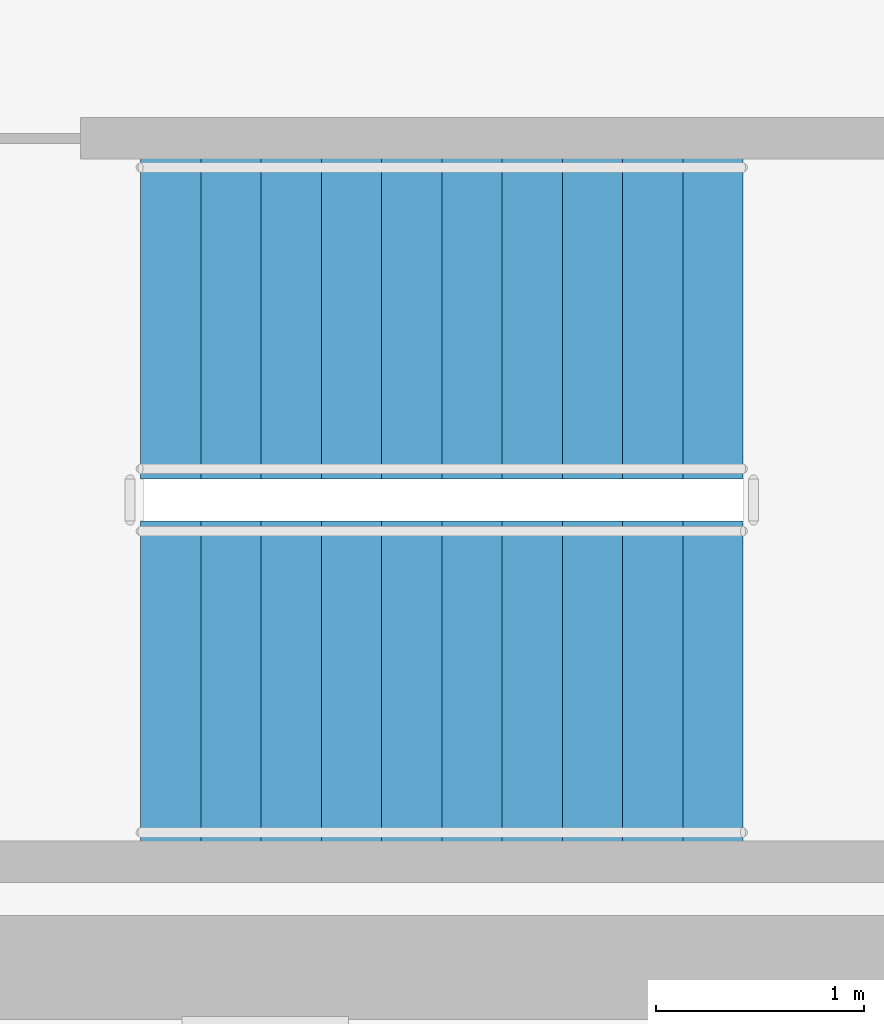
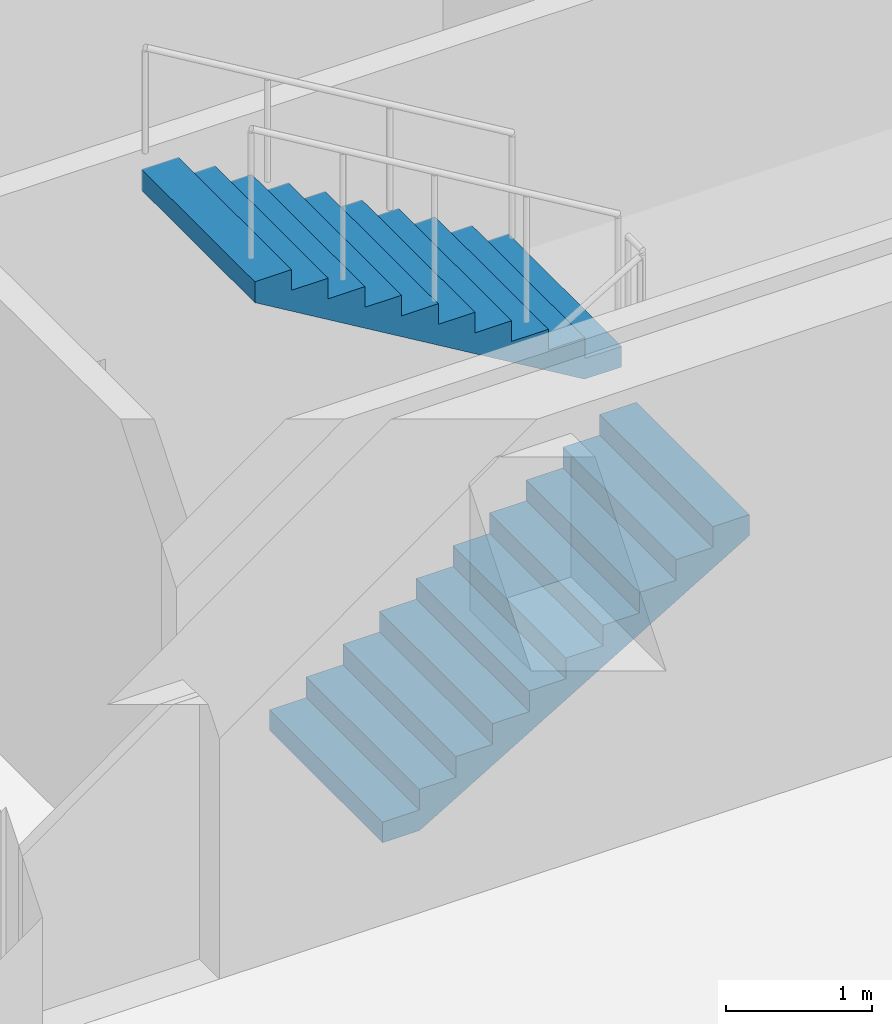
# One storey, part 20 of 24: 2 stair flights, 1 element without a shape of its own.
"""IFC4 building model written with IfcOpenShell, lengths in metres."""

import ifcopenshell
import ifcopenshell.guid

model = None  # the IFC model being written
_history = None  # IfcOwnerHistory: only IFC2X3 demands one
_inside = {}  # id of a spatial element -> (the spatial element, [elements in it])
_under = {}  # id of a project, library or spatial element -> (it, [spatial elements below it])
_declared = {}  # id of a project -> (the project, [libraries it declares])
_typed = {}  # id of a type object -> (the type object, [elements of that type])
_made_of = {}  # id of a material, layer set ... -> (it, [elements and type objects made of it])


def new_model(schema):
    """Start an empty IFC model of exactly this schema.

    Asked for "IFC4X3", IfcOpenShell would pick the latest addendum, in which some entities
    have other attributes; the version numbers below select the first issue.
    IFC2X3 requires an IfcOwnerHistory on every rooted entity: one is made here for all.
    """
    global model, _history
    if schema == "IFC4X3":
        model = ifcopenshell.file(schema_version=(4, 3, 0, 0))
    else:
        model = ifcopenshell.file(schema=schema)
    _inside.clear()
    _under.clear()
    _declared.clear()
    _typed.clear()
    _made_of.clear()
    _history = None
    if model.schema == "IFC2X3":
        org = make("IfcOrganization", Name="unknown")
        user = make(
            "IfcPersonAndOrganization",
            ThePerson=make("IfcPerson", FamilyName="unknown"),
            TheOrganization=org,
        )
        app = make(
            "IfcApplication",
            ApplicationDeveloper=org,
            Version="unknown",
            ApplicationFullName="unknown",
            ApplicationIdentifier="unknown",
        )
        _history = make(
            "IfcOwnerHistory",
            OwningUser=user,
            OwningApplication=app,
            ChangeAction="ADDED",
            CreationDate=0,
        )
    return model


def make(cls, **values):
    """One entity of the class cls with the attributes given. An attribute that is None is left unset."""
    return model.create_entity(
        cls, **{name: value for name, value in values.items() if value is not None}
    )


def rooted(cls, **values):
    """An entity with a GlobalId (a new one), such as an element, a storey or a relation."""
    return make(cls, GlobalId=ifcopenshell.guid.new(), OwnerHistory=_history, **values)


def si_unit(unit_type, name, prefix=None):
    """IfcSIUnit, for example si_unit("LENGTHUNIT", "METRE", prefix="MILLI")."""
    return make("IfcSIUnit", UnitType=unit_type, Prefix=prefix, Name=name)


def assignment(units):
    """IfcUnitAssignment: the units of a project."""
    return None if units is None else make("IfcUnitAssignment", Units=units)


def point(xyz):
    """IfcCartesianPoint."""
    return None if xyz is None else make("IfcCartesianPoint", Coordinates=xyz)


def direction(xyz):
    """IfcDirection."""
    return None if xyz is None else make("IfcDirection", DirectionRatios=xyz)


def frame(location, z_axis=None, x_axis=None):
    """IfcAxis2Placement3D, a coordinate frame: its origin and axes. An axis left out is left unset."""
    return make(
        "IfcAxis2Placement3D",
        Location=point(location),
        Axis=direction(z_axis),
        RefDirection=direction(x_axis),
    )


def origin():
    """The frame at (0, 0, 0) with its axes left unset."""
    return frame((0.0, 0.0, 0.0))


def place(relative_to, where):
    """IfcLocalPlacement: puts the frame where relative to a parent placement (None: the world)."""
    return make(
        "IfcLocalPlacement", PlacementRelTo=relative_to, RelativePlacement=where
    )


def context(
    kind, dimensions, precision=None, world=None, true_north=None, identifier=None
):
    """IfcGeometricRepresentationContext, for example the 3D "Model" context."""
    return make(
        "IfcGeometricRepresentationContext",
        ContextIdentifier=identifier,
        ContextType=kind,
        CoordinateSpaceDimension=dimensions,
        Precision=precision,
        WorldCoordinateSystem=world,
        TrueNorth=true_north,
    )


def subcontext(parent, identifier, kind, view, scale=None):
    """IfcGeometricRepresentationSubContext, for example "Body" below "Model"."""
    return make(
        "IfcGeometricRepresentationSubContext",
        ContextIdentifier=identifier,
        ContextType=kind,
        ParentContext=parent,
        TargetScale=scale,
        TargetView=view,
    )


def project(units=None, contexts=None):
    """IfcProject with its units and contexts."""
    return rooted(
        "IfcProject",
        Name="project",
        RepresentationContexts=contexts,
        UnitsInContext=assignment(units),
    )


def spatial(cls, under=None, at=None, **own):
    """A site, building, storey or space (cls), placed at a placement, below another one or the project."""
    s = rooted(cls, ObjectPlacement=at, **own)
    if under is not None:
        _under.setdefault(under.id(), (under, []))[1].append(s)
    return s


def polyline(points):
    """IfcPolyline through the points."""
    return make("IfcPolyline", Points=[point(p) for p in points])


def outline(outer, holes=None, kind="AREA"):
    """IfcArbitraryClosedProfileDef: a profile drawn as a closed curve; with holes, ...WithVoids."""
    if holes is None:
        return make("IfcArbitraryClosedProfileDef", ProfileType=kind, OuterCurve=outer)
    return make(
        "IfcArbitraryProfileDefWithVoids",
        ProfileType=kind,
        OuterCurve=outer,
        InnerCurves=holes,
    )


def extrude(swept, where, along, depth):
    """IfcExtrudedAreaSolid: the profile swept, set in the frame where, extruded along a direction by depth."""
    return make(
        "IfcExtrudedAreaSolid",
        SweptArea=swept,
        Position=where,
        ExtrudedDirection=direction(along),
        Depth=depth,
    )


def shape(context_of_items, identifier, shape_type, items):
    """IfcShapeRepresentation: the items that make up one representation, for example the "Body"."""
    return make(
        "IfcShapeRepresentation",
        ContextOfItems=context_of_items,
        RepresentationIdentifier=identifier,
        RepresentationType=shape_type,
        Items=items,
    )


def material(Name=None, Category=None):
    """IfcMaterial."""
    return make("IfcMaterial", Name=Name, Category=Category)


def made_of(thing, what):
    """Note that an element or type object is made of a material, layer set ...; save() writes the relation."""
    if what is not None:
        _made_of.setdefault(what.id(), (what, []))[1].append(thing)
    return thing


def type_object(cls, material=None, **own):
    """A type object (cls), such as IfcWallType, which elements share."""
    return made_of(rooted(cls, **own), material)


def element(
    cls,
    number,
    at=None,
    inside=None,
    cuts=None,
    type_object=None,
    material=None,
    context=None,
    identifier="Body",
    shape_type=None,
    held_by="IfcProductDefinitionShape",
    body=None,
    shapes=None,
    **own,
):
    """One element of the class cls, such as IfcWall. Its Tag is "e" and its number.

    at: its placement. inside: the storey or other place that contains it. cuts: it is an
    opening in that element (IfcRelVoidsElement). A single representation is given by context,
    identifier, shape_type and body (its items); several are given by shapes. held_by: the class
    of the entity that holds the representations. save() writes the other relations.
    """
    e = rooted(cls, Tag="e%d" % number, ObjectPlacement=at, **own)
    if body is not None:
        shapes = [shape(context, identifier, shape_type, body)]
    if shapes is not None:
        e.Representation = make(held_by, Representations=shapes)
    if inside is not None:
        _inside.setdefault(inside.id(), (inside, []))[1].append(e)
    if cuts is not None:
        rooted(
            "IfcRelVoidsElement", RelatingBuildingElement=cuts, RelatedOpeningElement=e
        )
    if type_object is not None:
        _typed.setdefault(type_object.id(), (type_object, []))[1].append(e)
    return made_of(e, material)


def aggregate(whole, parts):
    """IfcRelAggregates: a whole, such as a stair, and the parts it consists of."""
    return rooted("IfcRelAggregates", RelatingObject=whole, RelatedObjects=parts)


def save(model, path):
    """Write the relations noted so far, then the file.

    IfcRelAggregates (storeys below a building ...), IfcRelContainedInSpatialStructure (elements
    in a storey), IfcRelDefinesByType, IfcRelAssociatesMaterial and IfcRelDeclares: one each for
    every whole, place, type object, material and project.
    """
    for whole, parts in _under.values():
        aggregate(whole, parts)
    for where, things in _inside.values():
        rooted(
            "IfcRelContainedInSpatialStructure",
            RelatedElements=things,
            RelatingStructure=where,
        )
    for kind, things in _typed.values():
        rooted("IfcRelDefinesByType", RelatedObjects=things, RelatingType=kind)
    for what, things in _made_of.values():
        rooted("IfcRelAssociatesMaterial", RelatedObjects=things, RelatingMaterial=what)
    for by, libraries in _declared.values():
        rooted("IfcRelDeclares", RelatingContext=by, RelatedDefinitions=libraries)
    model.write(path)


model = new_model("IFC4")

# Units and contexts
model_context = context("Model", 3, precision=1e-05, world=origin(), true_north=direction((0.0, 1.0)))
body_context = subcontext(model_context, "Body", "Model", "MODEL_VIEW")
ifc_project = project(units=[si_unit("LENGTHUNIT", "METRE"), si_unit("AREAUNIT", "SQUARE_METRE"), si_unit("VOLUMEUNIT", "CUBIC_METRE"), si_unit("PLANEANGLEUNIT", "RADIAN"), si_unit("MASSUNIT", "GRAM", prefix="KILO")], contexts=[model_context])

# Site, building, storey
site_placement = place(None, origin())
site = spatial("IfcSite", under=ifc_project, at=site_placement, CompositionType="ELEMENT")
building_placement = place(site_placement, origin())
building = spatial("IfcBuilding", under=site, at=building_placement, Name="Putna Gate Headquarters", CompositionType="ELEMENT")
storey_placement = place(building_placement, frame((0.0, 0.0, 251.800048828125)))
storey = spatial("IfcBuildingStorey", under=building, at=storey_placement, Name="L63", CompositionType="ELEMENT", Elevation=251.800048828125)

# Stair, stair flights
ifc_material = material(Name="Concrete C40/50", Category="concrete")
stair_type = type_object("IfcStairType", Name="STAIR-ST2", PredefinedType="HALF_TURN_STAIR", material=ifc_material)
stair_placement = place(storey_placement, origin())
stair = element("IfcStair", 1, at=stair_placement, inside=storey, type_object=stair_type, Name="L63 East Core Exit Stair ST2", PredefinedType="HALF_TURN_STAIR")
stair_flight_type = type_object("IfcStairFlightType", Name="FLIGHT-ST2", PredefinedType="STRAIGHT", material=ifc_material)
stair_flight_1_placement = place(storey_placement, frame((57.89990234375, 20.375, 0.0), z_axis=(0.0, 0.0, 1.0), x_axis=(1.0, 0.0, 0.0)))
stair_flight_1 = element("IfcStairFlight", 2, at=stair_flight_1_placement, type_object=stair_flight_type, Name="ST2 flight 1", NumberOfRisers=11, NumberOfTreads=10, PredefinedType="STRAIGHT", RiserHeight=0.172727273, TreadLength=0.29, context=body_context, shape_type="SweptSolid", body=[
    extrude(outline(polyline([(0.0, 0.0), (0.0, 0.172607421875), (0.2900390625, 0.172607421875), (0.2900390625, 0.345458984375), (0.580078125, 0.345458984375), (0.580078125, 0.51806640625), (0.8701171875, 0.51806640625), (0.8701171875, 0.69091796875), (1.159912109375, 0.69091796875), (1.159912109375, 0.863525390625), (1.449951171875, 0.863525390625), (1.449951171875, 1.036376953125), (1.739990234375, 1.036376953125), (1.739990234375, 1.208984375), (2.030029296875, 1.208984375), (2.030029296875, 1.3818359375), (2.320068359375, 1.3818359375), (2.320068359375, 1.554443359375), (2.610107421875, 1.554443359375), (2.610107421875, 1.727294921875), (2.89990234375, 1.727294921875), (2.89990234375, 1.89990234375), (2.89990234375, 1.552734375), (0.29296875, 0.0), (0.0, 0.0)])), frame((0.0, 0.77490234375, 0.0), z_axis=(0.0, -1.0, 0.0), x_axis=(1.0, 0.0, 0.0)), (0.0, 0.0, 1.0), 1.550048828125),
])
stair_flight_2_placement = place(storey_placement, frame((60.800048828125, 22.125, 1.89990234375), z_axis=(0.0, 0.0, 1.0), x_axis=(-1.0, 0.0, 0.0)))
stair_flight_2 = element("IfcStairFlight", 3, at=stair_flight_2_placement, type_object=stair_flight_type, Name="ST2 flight 2", NumberOfRisers=11, NumberOfTreads=10, PredefinedType="STRAIGHT", RiserHeight=0.172727273, TreadLength=0.29, context=body_context, shape_type="SweptSolid", body=[
    extrude(outline(polyline([(0.0, 0.0), (0.0, 0.172607421875), (0.2900390625, 0.172607421875), (0.2900390625, 0.345458984375), (0.580078125, 0.345458984375), (0.580078125, 0.51806640625), (0.8701171875, 0.51806640625), (0.8701171875, 0.69091796875), (1.159912109375, 0.69091796875), (1.159912109375, 0.863525390625), (1.449951171875, 0.863525390625), (1.449951171875, 1.036376953125), (1.739990234375, 1.036376953125), (1.739990234375, 1.208984375), (2.030029296875, 1.208984375), (2.030029296875, 1.3818359375), (2.320068359375, 1.3818359375), (2.320068359375, 1.554443359375), (2.610107421875, 1.554443359375), (2.610107421875, 1.727294921875), (2.89990234375, 1.727294921875), (2.89990234375, 1.89990234375), (2.89990234375, 1.552734375), (0.29296875, 0.0), (0.0, 0.0)])), frame((0.0, 0.77490234375, 0.0), z_axis=(0.0, -1.0, 0.0), x_axis=(1.0, 0.0, 0.0)), (0.0, 0.0, 1.0), 1.550048828125),
])
aggregate(stair, [stair_flight_1, stair_flight_2])

save(model, "model.ifc")
